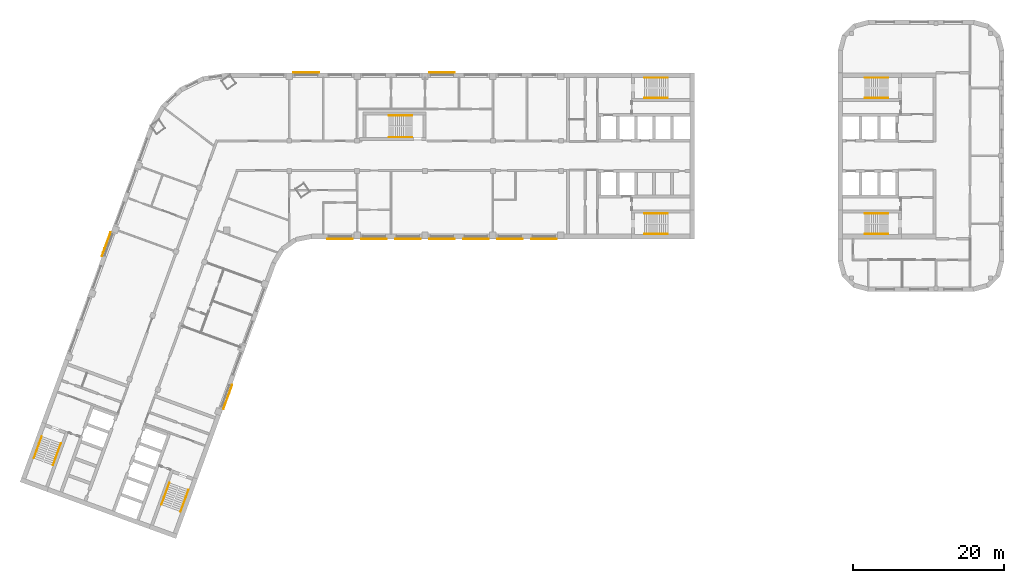
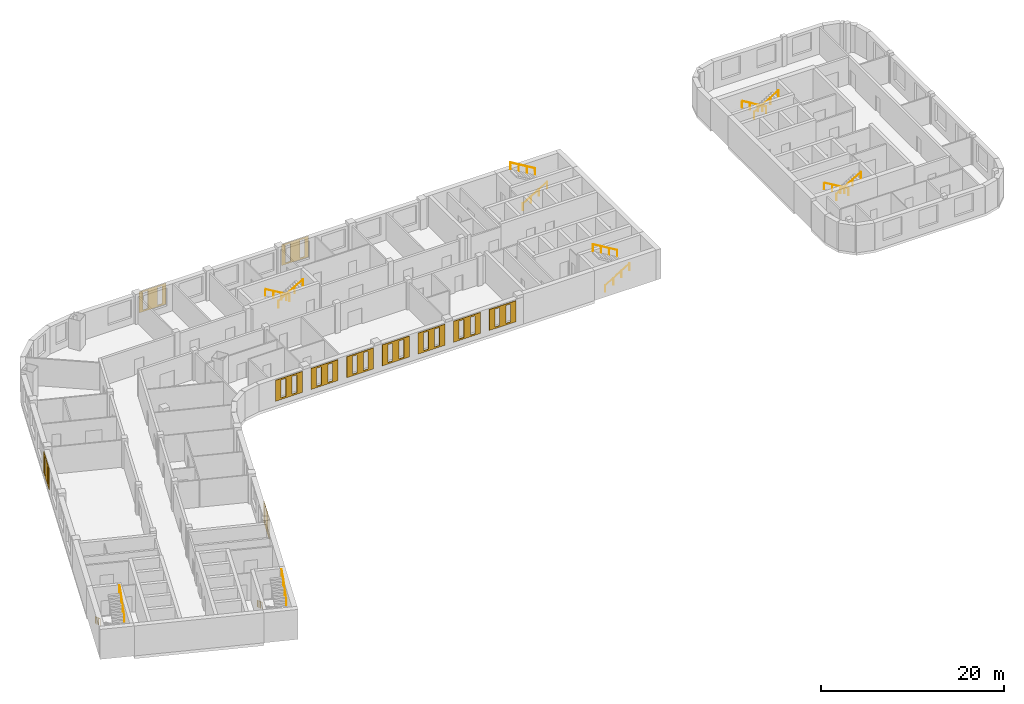
# One storey, part 10 of 10: 14 railings, 11 coverings.
"""IFC4 building model written with IfcOpenShell, lengths in metres."""

from ifc_helpers import new_model, si_unit, direction, frame, origin, origin_2d, place, context, subcontext, project, spatial, polyline, circle, outline, extrude, material, material_profile, profile_set, type_object, element, save


model = new_model("IFC4")

# Units and contexts
model_context = context("Model", 3, precision=1e-05, world=origin(), true_north=direction((0.0, 1.0)))
body_context = subcontext(model_context, "Body", "Model", "MODEL_VIEW")
ifc_project = project(units=[si_unit("LENGTHUNIT", "METRE"), si_unit("AREAUNIT", "SQUARE_METRE"), si_unit("VOLUMEUNIT", "CUBIC_METRE"), si_unit("PLANEANGLEUNIT", "RADIAN"), si_unit("MASSUNIT", "GRAM", prefix="KILO")], contexts=[model_context])

# Site, building, storey
site_placement = place(None, origin())
site = spatial("IfcSite", under=ifc_project, at=site_placement, CompositionType="ELEMENT")
building_placement = place(site_placement, origin())
building = spatial("IfcBuilding", under=site, at=building_placement, Name="Skarvind Civic Tower", CompositionType="ELEMENT")
storey_placement = place(building_placement, frame((0.0, 0.0, 101.0)))
storey = spatial("IfcBuildingStorey", under=building, at=storey_placement, Name="L23", CompositionType="ELEMENT", Elevation=101.0)

# Railings
ifc_material_1 = material(Name="Painted steel handrail", Category="steel")
railing_type = type_object("IfcRailingType", Name="Stair handrail 900", PredefinedType="HANDRAIL", material=ifc_material_1)
railing_1_placement = place(storey_placement, frame((101.35009765625, 135.64990234375, 0.166748046875)))
element("IfcRailing", 1, at=railing_1_placement, inside=storey, type_object=railing_type, Name="Stair handrail", PredefinedType="HANDRAIL", context=body_context, shape_type="SweptSolid", body=[
    extrude(circle(Radius=0.02392578125, at=origin_2d()), frame((0.0, 0.0, 0.8759765625), z_axis=(0.859290745958, 0.0, 0.51148745235), x_axis=(0.0, 1.0, 0.0)), (0.0, 0.0, 1.0), 3.584228515625),
    extrude(circle(Radius=0.02099609375, at=origin_2d()), origin(), (0.0, 0.0, 1.0), 0.851806640625),
    extrude(circle(Radius=0.02099609375, at=origin_2d()), frame((1.026611328125, 0.0, 0.611083984375)), (0.0, 0.0, 1.0), 0.851806640625),
    extrude(circle(Radius=0.02099609375, at=origin_2d()), frame((2.05322265625, 0.0, 1.22216796875)), (0.0, 0.0, 1.0), 0.851806640625),
    extrude(circle(Radius=0.02099609375, at=origin_2d()), frame((3.079833984375, 0.0, 1.833251953125)), (0.0, 0.0, 1.0), 0.851806640625),
])
railing_2_placement = place(storey_placement, frame((104.429931640625, 138.35009765625, 2.166748046875)))
element("IfcRailing", 2, at=railing_2_placement, inside=storey, type_object=railing_type, Name="Stair handrail", PredefinedType="HANDRAIL", context=body_context, shape_type="SweptSolid", body=[
    extrude(circle(Radius=0.02392578125, at=origin_2d()), frame((0.0, 0.0, 0.8759765625), z_axis=(-0.859290745958, 0.0, 0.51148745235), x_axis=(0.0, -1.0, 0.0)), (0.0, 0.0, 1.0), 3.584228515625),
    extrude(circle(Radius=0.02099609375, at=origin_2d()), origin(), (0.0, 0.0, 1.0), 0.851806640625),
    extrude(circle(Radius=0.02099609375, at=origin_2d()), frame((-1.026611328125, 0.0, 0.611083984375)), (0.0, 0.0, 1.0), 0.851806640625),
    extrude(circle(Radius=0.02099609375, at=origin_2d()), frame((-2.05322265625, 0.0, 1.22216796875)), (0.0, 0.0, 1.0), 0.851806640625),
    extrude(circle(Radius=0.02099609375, at=origin_2d()), frame((-3.079833984375, 0.0, 1.833251953125)), (0.0, 0.0, 1.0), 0.851806640625),
])
railing_3_placement = place(storey_placement, frame((101.35009765625, 117.64990234375, 0.166748046875)))
element("IfcRailing", 3, at=railing_3_placement, inside=storey, type_object=railing_type, Name="Stair handrail", PredefinedType="HANDRAIL", context=body_context, shape_type="SweptSolid", body=[
    extrude(circle(Radius=0.02392578125, at=origin_2d()), frame((0.0, 0.0, 0.8759765625), z_axis=(0.859290745958, 0.0, 0.51148745235), x_axis=(0.0, 1.0, 0.0)), (0.0, 0.0, 1.0), 3.584228515625),
    extrude(circle(Radius=0.02099609375, at=origin_2d()), origin(), (0.0, 0.0, 1.0), 0.851806640625),
    extrude(circle(Radius=0.02099609375, at=origin_2d()), frame((1.026611328125, 0.0, 0.611083984375)), (0.0, 0.0, 1.0), 0.851806640625),
    extrude(circle(Radius=0.02099609375, at=origin_2d()), frame((2.05322265625, 0.0, 1.22216796875)), (0.0, 0.0, 1.0), 0.851806640625),
    extrude(circle(Radius=0.02099609375, at=origin_2d()), frame((3.079833984375, 0.0, 1.833251953125)), (0.0, 0.0, 1.0), 0.851806640625),
])
railing_4_placement = place(storey_placement, frame((104.429931640625, 120.35009765625, 2.166748046875)))
element("IfcRailing", 4, at=railing_4_placement, inside=storey, type_object=railing_type, Name="Stair handrail", PredefinedType="HANDRAIL", context=body_context, shape_type="SweptSolid", body=[
    extrude(circle(Radius=0.02392578125, at=origin_2d()), frame((0.0, 0.0, 0.8759765625), z_axis=(-0.859290745958, 0.0, 0.51148745235), x_axis=(0.0, -1.0, 0.0)), (0.0, 0.0, 1.0), 3.584228515625),
    extrude(circle(Radius=0.02099609375, at=origin_2d()), origin(), (0.0, 0.0, 1.0), 0.851806640625),
    extrude(circle(Radius=0.02099609375, at=origin_2d()), frame((-1.026611328125, 0.0, 0.611083984375)), (0.0, 0.0, 1.0), 0.851806640625),
    extrude(circle(Radius=0.02099609375, at=origin_2d()), frame((-2.05322265625, 0.0, 1.22216796875)), (0.0, 0.0, 1.0), 0.851806640625),
    extrude(circle(Radius=0.02099609375, at=origin_2d()), frame((-3.079833984375, 0.0, 1.833251953125)), (0.0, 0.0, 1.0), 0.851806640625),
])
railing_5_placement = place(storey_placement, frame((38.362060546875, 84.64794921875, 0.166748046875)))
element("IfcRailing", 5, at=railing_5_placement, inside=storey, type_object=railing_type, Name="Stair handrail", PredefinedType="HANDRAIL", context=body_context, shape_type="SweptSolid", body=[
    extrude(circle(Radius=0.02392578125, at=origin_2d()), frame((0.0, 0.0, 0.8759765625), z_axis=(-0.293908055923, -0.807480881337, 0.511461319103), x_axis=(0.939689235759, -0.342029443467, 0.0)), (0.0, 0.0, 1.0), 3.584228515625),
    extrude(circle(Radius=0.02099609375, at=origin_2d()), origin(), (0.0, 0.0, 1.0), 0.851806640625),
    extrude(circle(Radius=0.02099609375, at=origin_2d()), frame((-0.35107421875, -0.96484375, 0.611083984375)), (0.0, 0.0, 1.0), 0.851806640625),
    extrude(circle(Radius=0.02099609375, at=origin_2d()), frame((-0.702392578125, -1.929443359375, 1.22216796875)), (0.0, 0.0, 1.0), 0.851806640625),
    extrude(circle(Radius=0.02099609375, at=origin_2d()), frame((-1.053466796875, -2.894287109375, 1.833251953125)), (0.0, 0.0, 1.0), 0.851806640625),
])
railing_6_placement = place(storey_placement, frame((39.845703125, 80.830078125, 2.166748046875)))
element("IfcRailing", 6, at=railing_6_placement, inside=storey, type_object=railing_type, Name="Stair handrail", PredefinedType="HANDRAIL", context=body_context, shape_type="SweptSolid", body=[
    extrude(circle(Radius=0.02392578125, at=origin_2d()), frame((0.0, 0.0, 0.8759765625), z_axis=(0.293908055923, 0.807480881337, 0.511461319103), x_axis=(-0.939689235759, 0.342029443467, 0.0)), (0.0, 0.0, 1.0), 3.584228515625),
    extrude(circle(Radius=0.02099609375, at=origin_2d()), origin(), (0.0, 0.0, 1.0), 0.851806640625),
    extrude(circle(Radius=0.02099609375, at=origin_2d()), frame((0.35107421875, 0.96484375, 0.611083984375)), (0.0, 0.0, 1.0), 0.851806640625),
    extrude(circle(Radius=0.02099609375, at=origin_2d()), frame((0.702392578125, 1.929443359375, 1.22216796875)), (0.0, 0.0, 1.0), 0.851806640625),
    extrude(circle(Radius=0.02099609375, at=origin_2d()), frame((1.053466796875, 2.894287109375, 1.833251953125)), (0.0, 0.0, 1.0), 0.851806640625),
])
railing_7_placement = place(storey_placement, frame((21.447509765625, 90.80419921875, 0.166748046875)))
element("IfcRailing", 7, at=railing_7_placement, inside=storey, type_object=railing_type, Name="Stair handrail", PredefinedType="HANDRAIL", context=body_context, shape_type="SweptSolid", body=[
    extrude(circle(Radius=0.02392578125, at=origin_2d()), frame((0.0, 0.0, 0.8759765625), z_axis=(-0.293845824691, -0.807497044902, 0.511471557163), x_axis=(0.939714709796, -0.34195944817, 0.0)), (0.0, 0.0, 1.0), 3.584228515625),
    extrude(circle(Radius=0.02099609375, at=origin_2d()), origin(), (0.0, 0.0, 1.0), 0.851806640625),
    extrude(circle(Radius=0.02099609375, at=origin_2d()), frame((-0.35107421875, -0.96484375, 0.611083984375)), (0.0, 0.0, 1.0), 0.851806640625),
    extrude(circle(Radius=0.02099609375, at=origin_2d()), frame((-0.7021484375, -1.929443359375, 1.22216796875)), (0.0, 0.0, 1.0), 0.851806640625),
    extrude(circle(Radius=0.02099609375, at=origin_2d()), frame((-1.05322265625, -2.894287109375, 1.833251953125)), (0.0, 0.0, 1.0), 0.851806640625),
])
railing_8_placement = place(storey_placement, frame((22.931396484375, 86.986572265625, 2.166748046875)))
element("IfcRailing", 8, at=railing_8_placement, inside=storey, type_object=railing_type, Name="Stair handrail", PredefinedType="HANDRAIL", context=body_context, shape_type="SweptSolid", body=[
    extrude(circle(Radius=0.02392578125, at=origin_2d()), frame((0.0, 0.0, 0.8759765625), z_axis=(0.293908055923, 0.807480881337, 0.511461319103), x_axis=(-0.939689235759, 0.342029443467, 0.0)), (0.0, 0.0, 1.0), 3.584228515625),
    extrude(circle(Radius=0.02099609375, at=origin_2d()), origin(), (0.0, 0.0, 1.0), 0.851806640625),
    extrude(circle(Radius=0.02099609375, at=origin_2d()), frame((0.35107421875, 0.96484375, 0.611083984375)), (0.0, 0.0, 1.0), 0.851806640625),
    extrude(circle(Radius=0.02099609375, at=origin_2d()), frame((0.702392578125, 1.929443359375, 1.22216796875)), (0.0, 0.0, 1.0), 0.851806640625),
    extrude(circle(Radius=0.02099609375, at=origin_2d()), frame((1.053466796875, 2.894287109375, 1.833251953125)), (0.0, 0.0, 1.0), 0.851806640625),
])
railing_9_placement = place(storey_placement, frame((133.64990234375, 120.35009765625, 0.166748046875)))
element("IfcRailing", 9, at=railing_9_placement, inside=storey, type_object=railing_type, Name="Stair handrail", PredefinedType="HANDRAIL", context=body_context, shape_type="SweptSolid", body=[
    extrude(circle(Radius=0.02392578125, at=origin_2d()), frame((0.0, 0.0, 0.8759765625), z_axis=(-0.859290745958, 0.0, 0.51148745235), x_axis=(0.0, -1.0, 0.0)), (0.0, 0.0, 1.0), 3.584228515625),
    extrude(circle(Radius=0.02099609375, at=origin_2d()), origin(), (0.0, 0.0, 1.0), 0.851806640625),
    extrude(circle(Radius=0.02099609375, at=origin_2d()), frame((-1.026611328125, 0.0, 0.611083984375)), (0.0, 0.0, 1.0), 0.851806640625),
    extrude(circle(Radius=0.02099609375, at=origin_2d()), frame((-2.05322265625, 0.0, 1.22216796875)), (0.0, 0.0, 1.0), 0.851806640625),
    extrude(circle(Radius=0.02099609375, at=origin_2d()), frame((-3.079833984375, 0.0, 1.833251953125)), (0.0, 0.0, 1.0), 0.851806640625),
])
railing_10_placement = place(storey_placement, frame((130.570068359375, 117.64990234375, 2.166748046875)))
element("IfcRailing", 10, at=railing_10_placement, inside=storey, type_object=railing_type, Name="Stair handrail", PredefinedType="HANDRAIL", context=body_context, shape_type="SweptSolid", body=[
    extrude(circle(Radius=0.02392578125, at=origin_2d()), frame((0.0, 0.0, 0.8759765625), z_axis=(0.859290745958, 0.0, 0.51148745235), x_axis=(0.0, 1.0, 0.0)), (0.0, 0.0, 1.0), 3.584228515625),
    extrude(circle(Radius=0.02099609375, at=origin_2d()), origin(), (0.0, 0.0, 1.0), 0.851806640625),
    extrude(circle(Radius=0.02099609375, at=origin_2d()), frame((1.026611328125, 0.0, 0.611083984375)), (0.0, 0.0, 1.0), 0.851806640625),
    extrude(circle(Radius=0.02099609375, at=origin_2d()), frame((2.05322265625, 0.0, 1.22216796875)), (0.0, 0.0, 1.0), 0.851806640625),
    extrude(circle(Radius=0.02099609375, at=origin_2d()), frame((3.079833984375, 0.0, 1.833251953125)), (0.0, 0.0, 1.0), 0.851806640625),
])
railing_11_placement = place(storey_placement, frame((133.64990234375, 138.35009765625, 0.166748046875)))
element("IfcRailing", 11, at=railing_11_placement, inside=storey, type_object=railing_type, Name="Stair handrail", PredefinedType="HANDRAIL", context=body_context, shape_type="SweptSolid", body=[
    extrude(circle(Radius=0.02392578125, at=origin_2d()), frame((0.0, 0.0, 0.8759765625), z_axis=(-0.859290745958, 0.0, 0.51148745235), x_axis=(0.0, -1.0, 0.0)), (0.0, 0.0, 1.0), 3.584228515625),
    extrude(circle(Radius=0.02099609375, at=origin_2d()), origin(), (0.0, 0.0, 1.0), 0.851806640625),
    extrude(circle(Radius=0.02099609375, at=origin_2d()), frame((-1.026611328125, 0.0, 0.611083984375)), (0.0, 0.0, 1.0), 0.851806640625),
    extrude(circle(Radius=0.02099609375, at=origin_2d()), frame((-2.05322265625, 0.0, 1.22216796875)), (0.0, 0.0, 1.0), 0.851806640625),
    extrude(circle(Radius=0.02099609375, at=origin_2d()), frame((-3.079833984375, 0.0, 1.833251953125)), (0.0, 0.0, 1.0), 0.851806640625),
])
railing_12_placement = place(storey_placement, frame((130.570068359375, 135.64990234375, 2.166748046875)))
element("IfcRailing", 12, at=railing_12_placement, inside=storey, type_object=railing_type, Name="Stair handrail", PredefinedType="HANDRAIL", context=body_context, shape_type="SweptSolid", body=[
    extrude(circle(Radius=0.02392578125, at=origin_2d()), frame((0.0, 0.0, 0.8759765625), z_axis=(0.859290745958, 0.0, 0.51148745235), x_axis=(0.0, 1.0, 0.0)), (0.0, 0.0, 1.0), 3.584228515625),
    extrude(circle(Radius=0.02099609375, at=origin_2d()), origin(), (0.0, 0.0, 1.0), 0.851806640625),
    extrude(circle(Radius=0.02099609375, at=origin_2d()), frame((1.026611328125, 0.0, 0.611083984375)), (0.0, 0.0, 1.0), 0.851806640625),
    extrude(circle(Radius=0.02099609375, at=origin_2d()), frame((2.05322265625, 0.0, 1.22216796875)), (0.0, 0.0, 1.0), 0.851806640625),
    extrude(circle(Radius=0.02099609375, at=origin_2d()), frame((3.079833984375, 0.0, 1.833251953125)), (0.0, 0.0, 1.0), 0.851806640625),
])
railing_13_placement = place(storey_placement, frame((70.550048828125, 133.35009765625, 0.166748046875)))
element("IfcRailing", 13, at=railing_13_placement, inside=storey, type_object=railing_type, Name="Stair handrail", PredefinedType="HANDRAIL", context=body_context, shape_type="SweptSolid", body=[
    extrude(circle(Radius=0.02392578125, at=origin_2d()), frame((0.0, 0.0, 0.8759765625), z_axis=(-0.859308565015, 0.0, 0.511457515432), x_axis=(0.0, -1.0, 0.0)), (0.0, 0.0, 1.0), 3.58447265625),
    extrude(circle(Radius=0.02099609375, at=origin_2d()), origin(), (0.0, 0.0, 1.0), 0.851806640625),
    extrude(circle(Radius=0.02099609375, at=origin_2d()), frame((-1.026611328125, 0.0, 0.611083984375)), (0.0, 0.0, 1.0), 0.851806640625),
    extrude(circle(Radius=0.02099609375, at=origin_2d()), frame((-2.053466796875, 0.0, 1.22216796875)), (0.0, 0.0, 1.0), 0.851806640625),
    extrude(circle(Radius=0.02099609375, at=origin_2d()), frame((-3.080078125, 0.0, 1.833251953125)), (0.0, 0.0, 1.0), 0.851806640625),
])
railing_14_placement = place(storey_placement, frame((67.469970703125, 130.449951171875, 2.166748046875)))
element("IfcRailing", 14, at=railing_14_placement, inside=storey, type_object=railing_type, Name="Stair handrail", PredefinedType="HANDRAIL", context=body_context, shape_type="SweptSolid", body=[
    extrude(circle(Radius=0.02392578125, at=origin_2d()), frame((0.0, 0.0, 0.8759765625), z_axis=(0.859308565015, 0.0, 0.511457515432), x_axis=(0.0, 1.0, 0.0)), (0.0, 0.0, 1.0), 3.58447265625),
    extrude(circle(Radius=0.02099609375, at=origin_2d()), origin(), (0.0, 0.0, 1.0), 0.851806640625),
    extrude(circle(Radius=0.02099609375, at=origin_2d()), frame((1.026611328125, 0.0, 0.611083984375)), (0.0, 0.0, 1.0), 0.851806640625),
    extrude(circle(Radius=0.02099609375, at=origin_2d()), frame((2.053466796875, 0.0, 1.22216796875)), (0.0, 0.0, 1.0), 0.851806640625),
    extrude(circle(Radius=0.02099609375, at=origin_2d()), frame((3.080078125, 0.0, 1.833251953125)), (0.0, 0.0, 1.0), 0.851806640625),
])

# Coverings
ifc_material_2 = material(Name="Terracotta", Category="masonry")
ifc_material_profile_1 = material_profile(ifc_material_2, outline(polyline([(-1.699951171875, -1.39990234375), (1.699951171875, -1.39990234375), (1.699951171875, 1.39990234375), (-1.699951171875, 1.39990234375), (-1.699951171875, -1.39990234375)]), holes=[polyline([(-1.0, -1.18994140625), (-0.39990234375, -1.18994140625), (-0.39990234375, 1.18994140625), (-1.0, 1.18994140625), (-1.0, -1.18994140625)]), polyline([(0.39990234375, -1.18994140625), (1.0, -1.18994140625), (1.0, 1.18994140625), (0.39990234375, 1.18994140625), (0.39990234375, -1.18994140625)])]), Name="TERRACOTTA SCREEN 3400 x 2800, SLIT PITCH 1400")
ifc_profile_set_1 = profile_set([ifc_material_profile_1], Name="Terracotta")
covering_type_1 = type_object("IfcCoveringType", Name="TERRACOTTA SCREEN 3400 x 2800, SLIT PITCH 1400", PredefinedType="CLADDING", material=ifc_profile_set_1)
for number, where, z_axis, x_axis, name in (
    (15, (88.0, 117.0, 2.10009765625), (0.0, -1.0, 0.0), (1.0, 0.0, 0.0), "TERRACOTTA SCREEN"),
    (16, (83.5, 117.0, 2.10009765625), (0.0, -1.0, 0.0), (1.0, 0.0, 0.0), "TERRACOTTA SCREEN"),
    (17, (79.0, 117.0, 2.10009765625), (0.0, -1.0, 0.0), (1.0, 0.0, 0.0), "TERRACOTTA SCREEN"),
    (18, (74.5, 117.0, 2.10009765625), (0.0, -1.0, 0.0), (1.0, 0.0, 0.0), "TERRACOTTA SCREEN"),
    (19, (70.0, 117.0, 2.10009765625), (0.0, -1.0, 0.0), (1.0, 0.0, 0.0), "TERRACOTTA SCREEN"),
    (20, (65.5, 117.0, 2.10009765625), (0.0, -1.0, 0.0), (1.0, 0.0, 0.0), "TERRACOTTA SCREEN"),
    (21, (61.0, 117.0, 2.10009765625), (0.0, -1.0, 0.0), (1.0, 0.0, 0.0), "TERRACOTTA SCREEN"),
):
    element("IfcCovering", number, at=place(storey_placement, frame(where, z_axis=z_axis, x_axis=x_axis)), inside=storey, type_object=covering_type_1, Name=name, PredefinedType="CLADDING", context=body_context, shape_type="SweptSolid", body=[
        extrude(outline(polyline([(-1.699951171875, -1.39990234375), (1.699951171875, -1.39990234375), (1.699951171875, 1.39990234375), (-1.699951171875, 1.39990234375), (-1.699951171875, -1.39990234375)]), holes=[polyline([(-1.0, -1.18994140625), (-0.39990234375, -1.18994140625), (-0.39990234375, 1.18994140625), (-1.0, 1.18994140625), (-1.0, -1.18994140625)]), polyline([(0.39990234375, -1.18994140625), (1.0, -1.18994140625), (1.0, 1.18994140625), (0.39990234375, 1.18994140625), (0.39990234375, -1.18994140625)])]), origin(), (0.0, 0.0, 1.0), 0.06005859375),
    ])
ifc_material_profile_2 = material_profile(ifc_material_2, outline(polyline([(-1.699951171875, -1.39990234375), (1.699951171875, -1.39990234375), (1.699951171875, 1.39990234375), (-1.699951171875, 1.39990234375), (-1.699951171875, -1.39990234375)]), holes=[polyline([(-1.199951171875, -1.18994140625), (-0.60009765625, -1.18994140625), (-0.60009765625, 1.18994140625), (-1.199951171875, 1.18994140625), (-1.199951171875, -1.18994140625)]), polyline([(0.60009765625, -1.18994140625), (1.199951171875, -1.18994140625), (1.199951171875, 1.18994140625), (0.60009765625, 1.18994140625), (0.60009765625, -1.18994140625)])]), Name="TERRACOTTA SCREEN 3400 x 2800, SLIT PITCH 1800")
ifc_profile_set_2 = profile_set([ifc_material_profile_2], Name="Terracotta")
covering_type_2 = type_object("IfcCoveringType", Name="TERRACOTTA SCREEN 3400 x 2800, SLIT PITCH 1800", PredefinedType="CLADDING", material=ifc_profile_set_2)
for number, where, z_axis, x_axis, name in (
    (22, (46.075927734375, 96.047119140625, 2.10009765625), (0.939793423488, -0.341743063087, 0.0), (0.341743063087, 0.939793423488, 0.0), "TERRACOTTA SCREEN"),
    (23, (56.5, 139.0, 2.10009765625), (0.0, 1.0, 0.0), (-1.0, 0.0, 0.0), "TERRACOTTA SCREEN"),
    (24, (74.5, 139.0, 2.10009765625), (0.0, 1.0, 0.0), (-1.0, 0.0, 0.0), "TERRACOTTA SCREEN"),
    (25, (30.02001953125, 116.25732421875, 2.10009765625), (-0.939793423488, 0.341743063087, 0.0), (-0.341743063087, -0.939793423488, 0.0), "TERRACOTTA SCREEN"),
):
    element("IfcCovering", number, at=place(storey_placement, frame(where, z_axis=z_axis, x_axis=x_axis)), inside=storey, type_object=covering_type_2, Name=name, PredefinedType="CLADDING", context=body_context, shape_type="SweptSolid", body=[
        extrude(outline(polyline([(-1.699951171875, -1.39990234375), (1.699951171875, -1.39990234375), (1.699951171875, 1.39990234375), (-1.699951171875, 1.39990234375), (-1.699951171875, -1.39990234375)]), holes=[polyline([(-1.199951171875, -1.18994140625), (-0.60009765625, -1.18994140625), (-0.60009765625, 1.18994140625), (-1.199951171875, 1.18994140625), (-1.199951171875, -1.18994140625)]), polyline([(0.60009765625, -1.18994140625), (1.199951171875, -1.18994140625), (1.199951171875, 1.18994140625), (0.60009765625, 1.18994140625), (0.60009765625, -1.18994140625)])]), origin(), (0.0, 0.0, 1.0), 0.06005859375),
    ])

save(model, "model.ifc")
